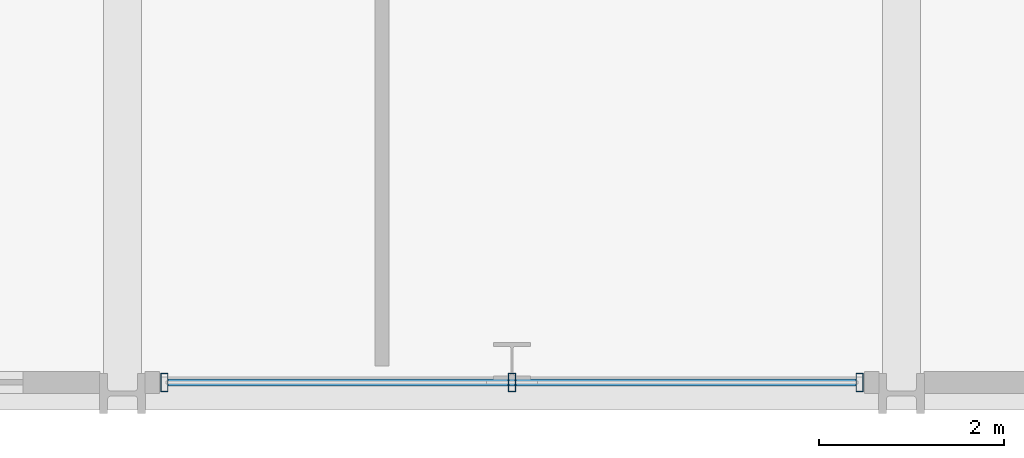
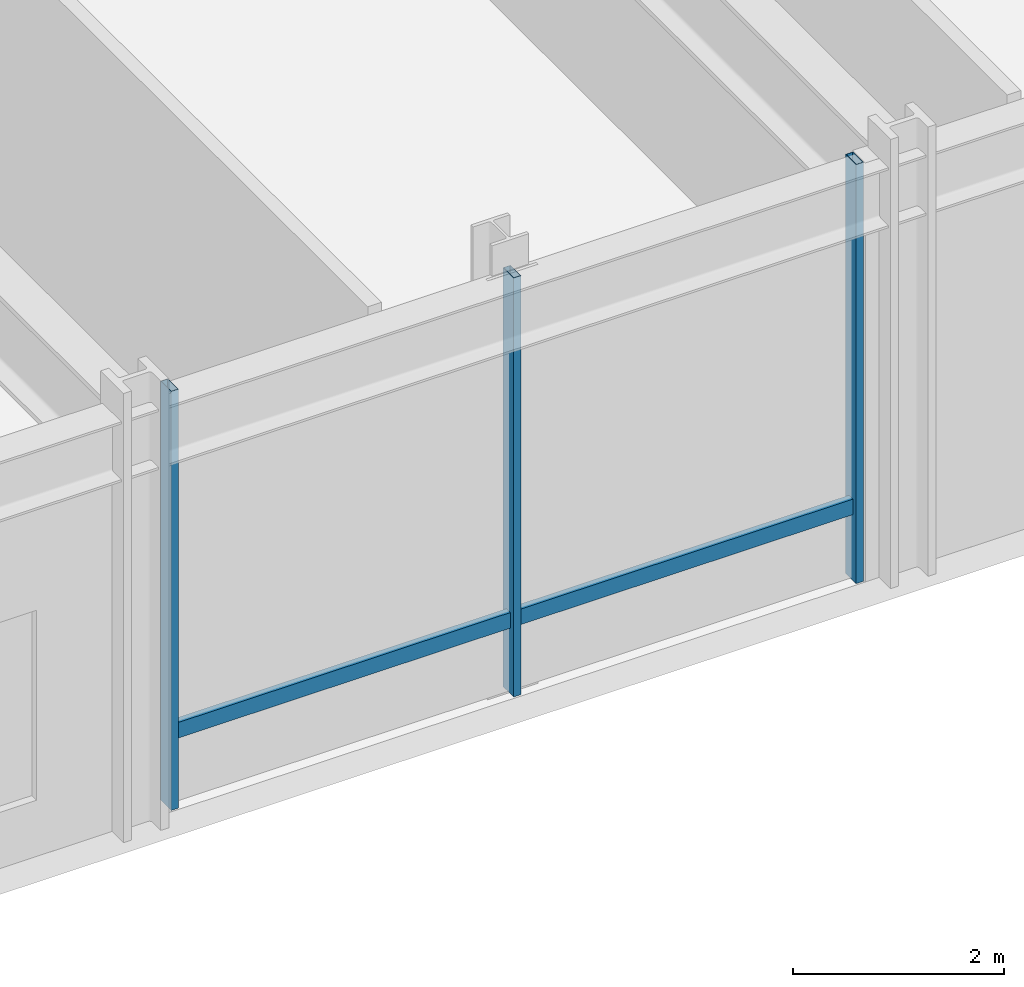
# One storey, part 3 of 21: 4 members, 1 element without a shape of its own.
"""IFC4 building model written with IfcOpenShell, lengths in metres."""

from ifc_helpers import new_model, si_unit, direction, frame, origin, origin_2d, place, context, subcontext, project, spatial, hollow_rectangle, extrude, material, layer, layer_set, material_profile, profile_set, type_object, element, aggregate, save


model = new_model("IFC4")

# Units and contexts
model_context = context("Model", 3, precision=1e-05, world=origin(), true_north=direction((0.0, 1.0)))
body_context = subcontext(model_context, "Body", "Model", "MODEL_VIEW")
ifc_project = project(units=[si_unit("LENGTHUNIT", "METRE"), si_unit("AREAUNIT", "SQUARE_METRE"), si_unit("VOLUMEUNIT", "CUBIC_METRE"), si_unit("PLANEANGLEUNIT", "RADIAN"), si_unit("MASSUNIT", "GRAM", prefix="KILO")], contexts=[model_context])

# Site, building, storey
site_placement = place(None, origin())
site = spatial("IfcSite", under=ifc_project, at=site_placement, CompositionType="ELEMENT")
building_placement = place(site_placement, origin())
building = spatial("IfcBuilding", under=site, at=building_placement, Name="Drelvath Grand Hotel", CompositionType="ELEMENT")
storey_placement = place(building_placement, frame((0.0, 0.0, 22.39990234375)))
storey = spatial("IfcBuildingStorey", under=building, at=storey_placement, Name="L04", CompositionType="ELEMENT", Elevation=22.39990234375)

# Curtain wall, members
ifc_material = material(Name="Dark Bronze Anodised Aluminium Frame", Category="aluminium")
ifc_layer = layer(ifc_material, 0.199951171875)
ifc_layer_set = layer_set([ifc_layer], Name="Dark Bronze Anodised Aluminium Frame")
curtain_wall_type = type_object("IfcCurtainWallType", Name="Stick Curtain Wall CW-01 Dark Bronze Podium", PredefinedType="NOTDEFINED", material=ifc_layer_set)
curtain_wall_placement = place(storey_placement, origin())
curtain_wall = element("IfcCurtainWall", 1, at=curtain_wall_placement, inside=storey, type_object=curtain_wall_type, Name="L04 CW-01 Curtain Wall CW01-L04-SC1", PredefinedType="NOTDEFINED")
ifc_material_profile_1 = material_profile(ifc_material, hollow_rectangle(XDim=0.074951171875, YDim=0.179931640625, WallThickness=0.0048828125, at=origin_2d()), Name="HSS180X75X5")
ifc_profile_set_1 = profile_set([ifc_material_profile_1], Name="Dark Bronze Anodised Aluminium Frame")
member_type_1 = type_object("IfcMemberType", Name="Curtain Wall Horizontal Transom CW-01 HSS180X75X5", PredefinedType="USERDEFINED", material=ifc_profile_set_1)
member_1_placement = place(storey_placement, frame((-0.489990234375, 0.1201171875, 0.85009765625), z_axis=(-1.0, 0.0, 0.0), x_axis=(0.0, -1.0, 0.0)))
member_1 = element("IfcMember", 2, at=member_1_placement, type_object=member_type_1, Name="CW01-L04-SC1 Sill Transom", ObjectType="TRANSOM", PredefinedType="USERDEFINED", context=body_context, shape_type="SweptSolid", body=[
    extrude(hollow_rectangle(XDim=0.074951171875, YDim=0.179931640625, WallThickness=0.0048828125, at=origin_2d()), origin(), (0.0, 0.0, 1.0), 7.419921875),
])
ifc_material_profile_2 = material_profile(ifc_material, hollow_rectangle(XDim=0.080078125, YDim=0.199951171875, WallThickness=0.0048828125, at=origin_2d()), Name="HSS200X80X5")
ifc_profile_set_2 = profile_set([ifc_material_profile_2], Name="Dark Bronze Anodised Aluminium Frame")
member_type_2 = type_object("IfcMemberType", Name="Curtain Wall Vertical Mullion CW-01 HSS200X80X5", PredefinedType="MULLION", material=ifc_profile_set_2)
member_2_placement = place(storey_placement, frame((-0.449951171875, 0.1201171875, 0.0), z_axis=(0.0, 0.0, 1.0), x_axis=(1.0, 0.0, 0.0)))
member_2 = element("IfcMember", 3, at=member_2_placement, type_object=member_type_2, Name="CW01-L04-SC1 Mullion 1", PredefinedType="MULLION", context=body_context, shape_type="SweptSolid", body=[
    extrude(hollow_rectangle(XDim=0.080078125, YDim=0.199951171875, WallThickness=0.0048828125, at=origin_2d()), origin(), (0.0, 0.0, 1.0), 4.85009765625),
])
member_3_placement = place(storey_placement, frame((-4.199951171875, 0.1201171875, 0.0), z_axis=(0.0, 0.0, 1.0), x_axis=(1.0, 0.0, 0.0)))
member_3 = element("IfcMember", 4, at=member_3_placement, type_object=member_type_2, Name="CW01-L04-SC1 Mullion 2", PredefinedType="MULLION", context=body_context, shape_type="SweptSolid", body=[
    extrude(hollow_rectangle(XDim=0.080078125, YDim=0.199951171875, WallThickness=0.0048828125, at=origin_2d()), origin(), (0.0, 0.0, 1.0), 4.85009765625),
])
member_4_placement = place(storey_placement, frame((-7.949951171875, 0.1201171875, 0.0), z_axis=(0.0, 0.0, 1.0), x_axis=(1.0, 0.0, 0.0)))
member_4 = element("IfcMember", 5, at=member_4_placement, type_object=member_type_2, Name="CW01-L04-SC1 Mullion 3", PredefinedType="MULLION", context=body_context, shape_type="SweptSolid", body=[
    extrude(hollow_rectangle(XDim=0.080078125, YDim=0.199951171875, WallThickness=0.0048828125, at=origin_2d()), origin(), (0.0, 0.0, 1.0), 4.85009765625),
])
aggregate(curtain_wall, [member_2, member_3, member_4, member_1])

save(model, "model.ifc")
